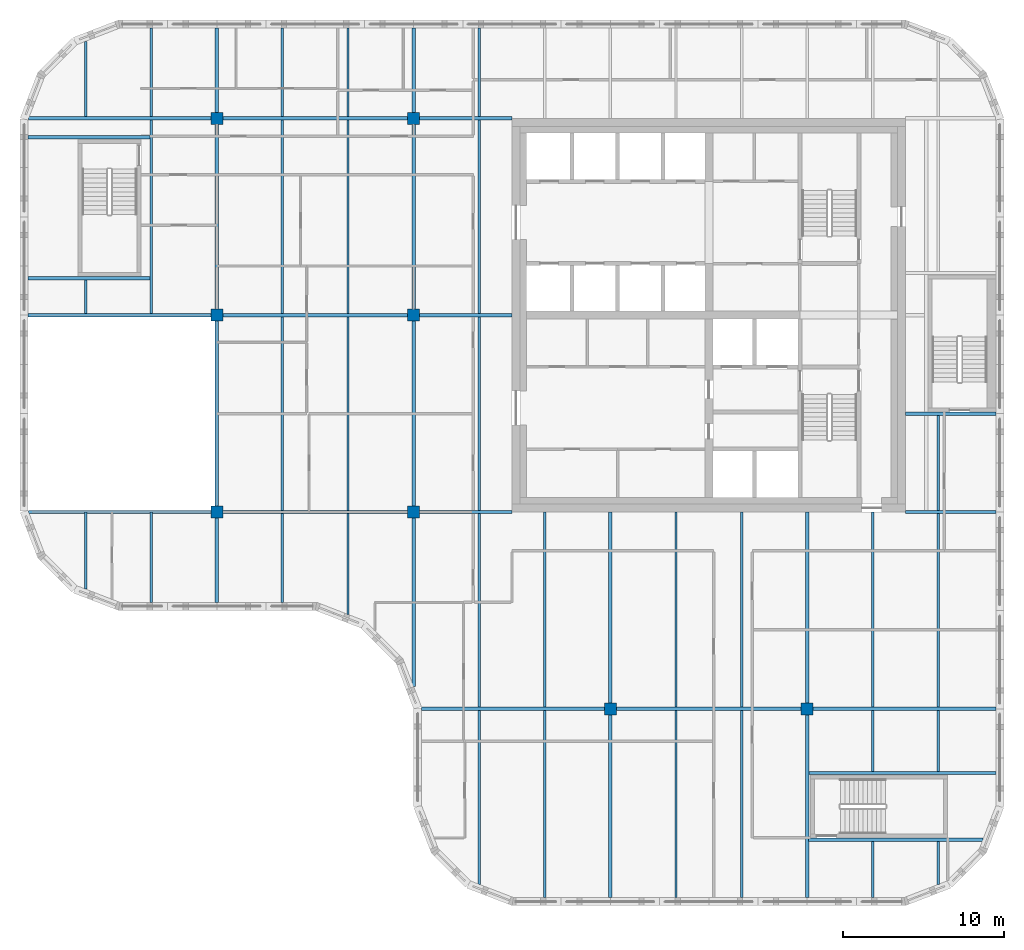
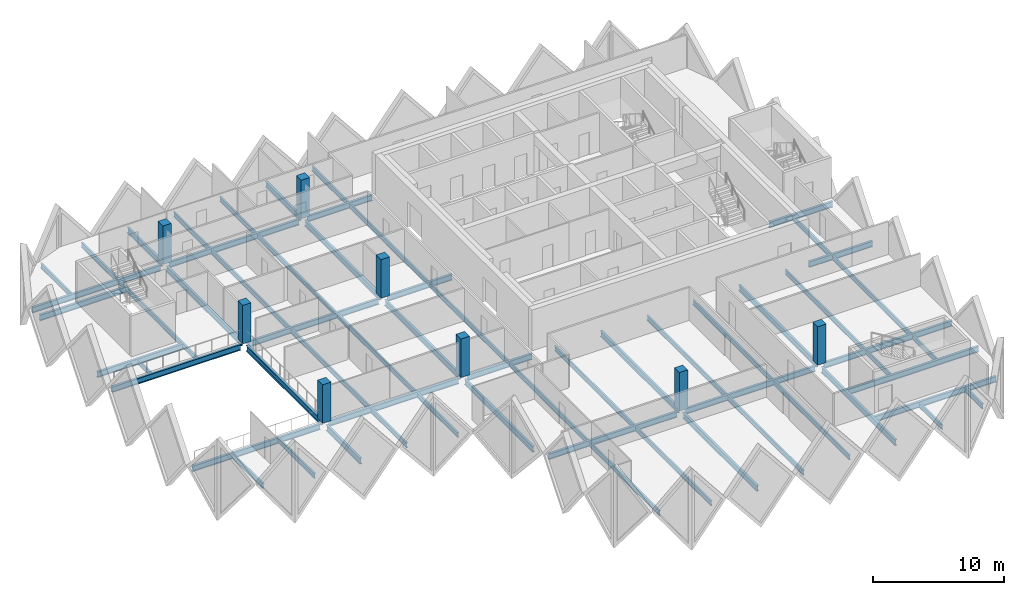
# One storey, part 1 of 12: 62 beams, 8 columns.
"""IFC4 building model written with IfcOpenShell, lengths in metres."""

from ifc_helpers import new_model, si_unit, direction, frame, origin, origin_2d, place, context, subcontext, project, spatial, rectangle, i_section, extrude, material, material_profile, profile_set, type_object, element, save


model = new_model("IFC4")

# Units and contexts
model_context = context("Model", 3, precision=1e-05, world=origin(), true_north=direction((0.0, 1.0)))
body_context = subcontext(model_context, "Body", "Model", "MODEL_VIEW")
ifc_project = project(units=[si_unit("LENGTHUNIT", "METRE"), si_unit("AREAUNIT", "SQUARE_METRE"), si_unit("VOLUMEUNIT", "CUBIC_METRE"), si_unit("PLANEANGLEUNIT", "RADIAN"), si_unit("MASSUNIT", "GRAM", prefix="KILO")], contexts=[model_context])

# Site, building, storey
site_placement = place(None, origin())
site = spatial("IfcSite", under=ifc_project, at=site_placement, CompositionType="ELEMENT")
building_placement = place(site_placement, origin())
building = spatial("IfcBuilding", under=site, at=building_placement, Name="Tessera Gate Towers", CompositionType="ELEMENT")
storey_placement = place(building_placement, frame((0.0, 0.0, 220.699951171875)))
storey = spatial("IfcBuildingStorey", under=building, at=storey_placement, Name="L55", CompositionType="ELEMENT", Elevation=220.699951171875)

# Columns
ifc_material_1 = material(Name="Concrete C70/85", Category="concrete")
ifc_material_profile_1 = material_profile(ifc_material_1, rectangle(XDim=0.75, YDim=0.75, at=origin_2d()), Name="RC 750x750")
ifc_profile_set_1 = profile_set([ifc_material_profile_1], Name="Concrete C70/85")
column_type = type_object("IfcColumnType", Name="COLUMN RC 750x750", PredefinedType="COLUMN", material=ifc_profile_set_1)
for number, where, z_axis, x_axis, name in (
    (1, (12.199951171875, 24.39990234375, 0.0), (0.0, 0.0, 1.0), (1.0, 0.0, 0.0), "T1-COL-2C-L55"),
    (2, (12.199951171875, 36.60009765625, 0.0), (0.0, 0.0, 1.0), (1.0, 0.0, 0.0), "T1-COL-2D-L55"),
    (3, (12.199951171875, 48.800048828125, 0.0), (0.0, 0.0, 1.0), (1.0, 0.0, 0.0), "T1-COL-2E-L55"),
    (4, (24.39990234375, 24.39990234375, 0.0), (0.0, 0.0, 1.0), (1.0, 0.0, 0.0), "T1-COL-3C-L55"),
    (5, (24.39990234375, 36.60009765625, 0.0), (0.0, 0.0, 1.0), (1.0, 0.0, 0.0), "T1-COL-3D-L55"),
    (6, (24.39990234375, 48.800048828125, 0.0), (0.0, 0.0, 1.0), (1.0, 0.0, 0.0), "T1-COL-3E-L55"),
    (7, (36.60009765625, 12.199951171875, 0.0), (0.0, 0.0, 1.0), (1.0, 0.0, 0.0), "T1-COL-4B-L55"),
    (8, (48.800048828125, 12.199951171875, 0.0), (0.0, 0.0, 1.0), (1.0, 0.0, 0.0), "T1-COL-5B-L55"),
):
    element("IfcColumn", number, at=place(storey_placement, frame(where, z_axis=z_axis, x_axis=x_axis)), inside=storey, type_object=column_type, Name=name, PredefinedType="COLUMN", context=body_context, shape_type="SweptSolid", body=[
        extrude(rectangle(XDim=0.75, YDim=0.75, at=origin_2d()), origin(), (0.0, 0.0, 1.0), 3.60009765625),
    ])

# Beams
ifc_material_2 = material(Name="Steel 350W", Category="steel")
ifc_material_profile_2 = material_profile(ifc_material_2, i_section(OverallWidth=0.208984375, OverallDepth=0.532958984375, WebThickness=0.01025390625, FlangeThickness=0.015625, at=origin_2d()), Name="W530x92")
ifc_profile_set_2 = profile_set([ifc_material_profile_2], Name="Steel 350W")
beam_type_1 = type_object("IfcBeamType", Name="FLOOR GIRDER W530x92", PredefinedType="BEAM", material=ifc_profile_set_2)
beam_1_placement = place(storey_placement, frame((24.89892578125, 12.199951171875, -0.466552734375), z_axis=(1.0, 0.0, 0.0), x_axis=(0.0, 1.0, 0.0)))
element("IfcBeam", 9, at=beam_1_placement, inside=storey, type_object=beam_type_1, Name="T1-GD-L55-5626", PredefinedType="BEAM", context=body_context, shape_type="SweptSolid", body=[
    extrude(i_section(OverallWidth=0.208984375, OverallDepth=0.532958984375, WebThickness=0.01025390625, FlangeThickness=0.015625, at=origin_2d()), origin(), (0.0, 0.0, 1.0), 11.326171875),
])
beam_2_placement = place(storey_placement, frame((36.97509765625, 12.199951171875, -0.466552734375), z_axis=(1.0, 0.0, 0.0), x_axis=(0.0, 1.0, 0.0)))
element("IfcBeam", 10, at=beam_2_placement, inside=storey, type_object=beam_type_1, Name="T1-GD-L55-5627", PredefinedType="BEAM", context=body_context, shape_type="SweptSolid", body=[
    extrude(i_section(OverallWidth=0.208984375, OverallDepth=0.532958984375, WebThickness=0.01025390625, FlangeThickness=0.015625, at=origin_2d()), origin(), (0.0, 0.0, 1.0), 11.449951171875),
])
beam_3_placement = place(storey_placement, frame((49.175048828125, 12.199951171875, -0.466552734375), z_axis=(1.0, 0.0, 0.0), x_axis=(0.0, 1.0, 0.0)))
element("IfcBeam", 11, at=beam_3_placement, inside=storey, type_object=beam_type_1, Name="T1-GD-L55-5628", PredefinedType="BEAM", context=body_context, shape_type="SweptSolid", body=[
    extrude(i_section(OverallWidth=0.208984375, OverallDepth=0.532958984375, WebThickness=0.01025390625, FlangeThickness=0.015625, at=origin_2d()), origin(), (0.0, 0.0, 1.0), 11.325927734375),
])
beam_4_placement = place(storey_placement, frame((0.534912109375, 24.39990234375, -0.466552734375), z_axis=(1.0, 0.0, 0.0), x_axis=(0.0, 1.0, 0.0)))
element("IfcBeam", 12, at=beam_4_placement, inside=storey, type_object=beam_type_1, Name="T1-GD-L55-5629", PredefinedType="BEAM", context=body_context, shape_type="SweptSolid", body=[
    extrude(i_section(OverallWidth=0.208984375, OverallDepth=0.532958984375, WebThickness=0.01025390625, FlangeThickness=0.015625, at=origin_2d()), origin(), (0.0, 0.0, 1.0), 11.2900390625),
])
beam_5_placement = place(storey_placement, frame((12.574951171875, 24.39990234375, -0.466552734375), z_axis=(1.0, 0.0, 0.0), x_axis=(0.0, 1.0, 0.0)))
element("IfcBeam", 13, at=beam_5_placement, inside=storey, type_object=beam_type_1, Name="T1-GD-L55-5630", PredefinedType="BEAM", context=body_context, shape_type="SweptSolid", body=[
    extrude(i_section(OverallWidth=0.208984375, OverallDepth=0.532958984375, WebThickness=0.01025390625, FlangeThickness=0.015625, at=origin_2d()), origin(), (0.0, 0.0, 1.0), 11.449951171875),
])
beam_6_placement = place(storey_placement, frame((24.77490234375, 24.39990234375, -0.466552734375), z_axis=(1.0, 0.0, 0.0), x_axis=(0.0, 1.0, 0.0)))
element("IfcBeam", 14, at=beam_6_placement, inside=storey, type_object=beam_type_1, Name="T1-GD-L55-5631", PredefinedType="BEAM", context=body_context, shape_type="SweptSolid", body=[
    extrude(i_section(OverallWidth=0.208984375, OverallDepth=0.532958984375, WebThickness=0.01025390625, FlangeThickness=0.015625, at=origin_2d()), origin(), (0.0, 0.0, 1.0), 5.72412109375),
])
beam_7_placement = place(storey_placement, frame((54.90087890625, 24.39990234375, -0.466552734375), z_axis=(1.0, 0.0, 0.0), x_axis=(0.0, 1.0, 0.0)))
element("IfcBeam", 15, at=beam_7_placement, inside=storey, type_object=beam_type_1, Name="T1-GD-L55-5632", PredefinedType="BEAM", context=body_context, shape_type="SweptSolid", body=[
    extrude(i_section(OverallWidth=0.208984375, OverallDepth=0.532958984375, WebThickness=0.01025390625, FlangeThickness=0.015625, at=origin_2d()), origin(), (0.0, 0.0, 1.0), 5.60009765625),
])
beam_8_placement = place(storey_placement, frame((0.4990234375, 36.60009765625, -0.466552734375), z_axis=(1.0, 0.0, 0.0), x_axis=(0.0, 1.0, 0.0)))
element("IfcBeam", 16, at=beam_8_placement, inside=storey, type_object=beam_type_1, Name="T1-GD-L55-5633", PredefinedType="BEAM", context=body_context, shape_type="SweptSolid", body=[
    extrude(i_section(OverallWidth=0.208984375, OverallDepth=0.532958984375, WebThickness=0.01025390625, FlangeThickness=0.015625, at=origin_2d()), origin(), (0.0, 0.0, 1.0), 11.325927734375),
])
beam_9_placement = place(storey_placement, frame((12.574951171875, 36.60009765625, -0.466552734375), z_axis=(1.0, 0.0, 0.0), x_axis=(0.0, 1.0, 0.0)))
element("IfcBeam", 17, at=beam_9_placement, inside=storey, type_object=beam_type_1, Name="T1-GD-L55-5634", PredefinedType="BEAM", context=body_context, shape_type="SweptSolid", body=[
    extrude(i_section(OverallWidth=0.208984375, OverallDepth=0.532958984375, WebThickness=0.01025390625, FlangeThickness=0.015625, at=origin_2d()), origin(), (0.0, 0.0, 1.0), 11.449951171875),
])
beam_10_placement = place(storey_placement, frame((24.77490234375, 36.60009765625, -0.466552734375), z_axis=(1.0, 0.0, 0.0), x_axis=(0.0, 1.0, 0.0)))
element("IfcBeam", 18, at=beam_10_placement, inside=storey, type_object=beam_type_1, Name="T1-GD-L55-5635", PredefinedType="BEAM", context=body_context, shape_type="SweptSolid", body=[
    extrude(i_section(OverallWidth=0.208984375, OverallDepth=0.532958984375, WebThickness=0.01025390625, FlangeThickness=0.015625, at=origin_2d()), origin(), (0.0, 0.0, 1.0), 5.72607421875),
])
beam_11_placement = place(storey_placement, frame((0.534912109375, 48.800048828125, -0.466552734375), z_axis=(1.0, 0.0, 0.0), x_axis=(0.0, 1.0, 0.0)))
element("IfcBeam", 19, at=beam_11_placement, inside=storey, type_object=beam_type_1, Name="T1-GD-L55-5637", PredefinedType="BEAM", context=body_context, shape_type="SweptSolid", body=[
    extrude(i_section(OverallWidth=0.208984375, OverallDepth=0.532958984375, WebThickness=0.01025390625, FlangeThickness=0.015625, at=origin_2d()), origin(), (0.0, 0.0, 1.0), 11.2900390625),
])
beam_12_placement = place(storey_placement, frame((12.574951171875, 48.800048828125, -0.466552734375), z_axis=(1.0, 0.0, 0.0), x_axis=(0.0, 1.0, 0.0)))
element("IfcBeam", 20, at=beam_12_placement, inside=storey, type_object=beam_type_1, Name="T1-GD-L55-5638", PredefinedType="BEAM", context=body_context, shape_type="SweptSolid", body=[
    extrude(i_section(OverallWidth=0.208984375, OverallDepth=0.532958984375, WebThickness=0.01025390625, FlangeThickness=0.015625, at=origin_2d()), origin(), (0.0, 0.0, 1.0), 11.449951171875),
])
beam_13_placement = place(storey_placement, frame((24.77490234375, 48.800048828125, -0.466552734375), z_axis=(1.0, 0.0, 0.0), x_axis=(0.0, 1.0, 0.0)))
element("IfcBeam", 21, at=beam_13_placement, inside=storey, type_object=beam_type_1, Name="T1-GD-L55-5639", PredefinedType="BEAM", context=body_context, shape_type="SweptSolid", body=[
    extrude(i_section(OverallWidth=0.208984375, OverallDepth=0.532958984375, WebThickness=0.01025390625, FlangeThickness=0.015625, at=origin_2d()), origin(), (0.0, 0.0, 1.0), 5.72412109375),
])
beam_14_placement = place(storey_placement, frame((12.199951171875, 18.799072265625, -0.466552734375), z_axis=(0.0, 1.0, 0.0), x_axis=(-1.0, 0.0, 0.0)))
element("IfcBeam", 22, at=beam_14_placement, inside=storey, type_object=beam_type_1, Name="T1-GD-L55-5641", PredefinedType="BEAM", context=body_context, shape_type="SweptSolid", body=[
    extrude(i_section(OverallWidth=0.208984375, OverallDepth=0.532958984375, WebThickness=0.01025390625, FlangeThickness=0.015625, at=origin_2d()), origin(), (0.0, 0.0, 1.0), 5.225830078125),
])
beam_15_placement = place(storey_placement, frame((12.199951171875, 24.77490234375, -0.466552734375), z_axis=(0.0, 1.0, 0.0), x_axis=(-1.0, 0.0, 0.0)))
element("IfcBeam", 23, at=beam_15_placement, inside=storey, type_object=beam_type_1, Name="T1-GD-L55-5642", PredefinedType="BEAM", context=body_context, shape_type="SweptSolid", body=[
    extrude(i_section(OverallWidth=0.208984375, OverallDepth=0.532958984375, WebThickness=0.01025390625, FlangeThickness=0.015625, at=origin_2d()), origin(), (0.0, 0.0, 1.0), 11.4501953125),
])
beam_16_placement = place(storey_placement, frame((12.199951171875, 36.97509765625, -0.466552734375), z_axis=(0.0, 1.0, 0.0), x_axis=(-1.0, 0.0, 0.0)))
element("IfcBeam", 24, at=beam_16_placement, inside=storey, type_object=beam_type_1, Name="T1-GD-L55-5643", PredefinedType="BEAM", context=body_context, shape_type="SweptSolid", body=[
    extrude(i_section(OverallWidth=0.208984375, OverallDepth=0.532958984375, WebThickness=0.01025390625, FlangeThickness=0.015625, at=origin_2d()), origin(), (0.0, 0.0, 1.0), 11.449951171875),
])
beam_17_placement = place(storey_placement, frame((12.199951171875, 49.175048828125, -0.466552734375), z_axis=(0.0, 1.0, 0.0), x_axis=(-1.0, 0.0, 0.0)))
element("IfcBeam", 25, at=beam_17_placement, inside=storey, type_object=beam_type_1, Name="T1-GD-L55-5644", PredefinedType="BEAM", context=body_context, shape_type="SweptSolid", body=[
    extrude(i_section(OverallWidth=0.208984375, OverallDepth=0.532958984375, WebThickness=0.01025390625, FlangeThickness=0.015625, at=origin_2d()), origin(), (0.0, 0.0, 1.0), 5.225830078125),
])
beam_18_placement = place(storey_placement, frame((24.39990234375, 13.58642578125, -0.466552734375), z_axis=(0.0, 1.0, 0.0), x_axis=(-1.0, 0.0, 0.0)))
element("IfcBeam", 26, at=beam_18_placement, inside=storey, type_object=beam_type_1, Name="T1-GD-L55-5645", PredefinedType="BEAM", context=body_context, shape_type="SweptSolid", body=[
    extrude(i_section(OverallWidth=0.208984375, OverallDepth=0.532958984375, WebThickness=0.01025390625, FlangeThickness=0.015625, at=origin_2d()), origin(), (0.0, 0.0, 1.0), 10.4384765625),
])
beam_19_placement = place(storey_placement, frame((24.39990234375, 24.77490234375, -0.466552734375), z_axis=(0.0, 1.0, 0.0), x_axis=(-1.0, 0.0, 0.0)))
element("IfcBeam", 27, at=beam_19_placement, inside=storey, type_object=beam_type_1, Name="T1-GD-L55-5646", PredefinedType="BEAM", context=body_context, shape_type="SweptSolid", body=[
    extrude(i_section(OverallWidth=0.208984375, OverallDepth=0.532958984375, WebThickness=0.01025390625, FlangeThickness=0.015625, at=origin_2d()), origin(), (0.0, 0.0, 1.0), 11.4501953125),
])
beam_20_placement = place(storey_placement, frame((24.39990234375, 36.97509765625, -0.466552734375), z_axis=(0.0, 1.0, 0.0), x_axis=(-1.0, 0.0, 0.0)))
element("IfcBeam", 28, at=beam_20_placement, inside=storey, type_object=beam_type_1, Name="T1-GD-L55-5647", PredefinedType="BEAM", context=body_context, shape_type="SweptSolid", body=[
    extrude(i_section(OverallWidth=0.208984375, OverallDepth=0.532958984375, WebThickness=0.01025390625, FlangeThickness=0.015625, at=origin_2d()), origin(), (0.0, 0.0, 1.0), 11.449951171875),
])
beam_21_placement = place(storey_placement, frame((24.39990234375, 49.175048828125, -0.466552734375), z_axis=(0.0, 1.0, 0.0), x_axis=(-1.0, 0.0, 0.0)))
element("IfcBeam", 29, at=beam_21_placement, inside=storey, type_object=beam_type_1, Name="T1-GD-L55-5648", PredefinedType="BEAM", context=body_context, shape_type="SweptSolid", body=[
    extrude(i_section(OverallWidth=0.208984375, OverallDepth=0.532958984375, WebThickness=0.01025390625, FlangeThickness=0.015625, at=origin_2d()), origin(), (0.0, 0.0, 1.0), 5.225830078125),
])
beam_22_placement = place(storey_placement, frame((36.60009765625, 0.4990234375, -0.466552734375), z_axis=(0.0, 1.0, 0.0), x_axis=(-1.0, 0.0, 0.0)))
element("IfcBeam", 30, at=beam_22_placement, inside=storey, type_object=beam_type_1, Name="T1-GD-L55-5649", PredefinedType="BEAM", context=body_context, shape_type="SweptSolid", body=[
    extrude(i_section(OverallWidth=0.208984375, OverallDepth=0.532958984375, WebThickness=0.01025390625, FlangeThickness=0.015625, at=origin_2d()), origin(), (0.0, 0.0, 1.0), 11.325927734375),
])
beam_23_placement = place(storey_placement, frame((36.60009765625, 12.574951171875, -0.466552734375), z_axis=(0.0, 1.0, 0.0), x_axis=(-1.0, 0.0, 0.0)))
element("IfcBeam", 31, at=beam_23_placement, inside=storey, type_object=beam_type_1, Name="T1-GD-L55-5650", PredefinedType="BEAM", context=body_context, shape_type="SweptSolid", body=[
    extrude(i_section(OverallWidth=0.208984375, OverallDepth=0.532958984375, WebThickness=0.01025390625, FlangeThickness=0.015625, at=origin_2d()), origin(), (0.0, 0.0, 1.0), 11.824951171875),
])
beam_24_placement = place(storey_placement, frame((48.800048828125, 0.4990234375, -0.466552734375), z_axis=(0.0, 1.0, 0.0), x_axis=(-1.0, 0.0, 0.0)))
element("IfcBeam", 32, at=beam_24_placement, inside=storey, type_object=beam_type_1, Name="T1-GD-L55-5651", PredefinedType="BEAM", context=body_context, shape_type="SweptSolid", body=[
    extrude(i_section(OverallWidth=0.208984375, OverallDepth=0.532958984375, WebThickness=0.01025390625, FlangeThickness=0.015625, at=origin_2d()), origin(), (0.0, 0.0, 1.0), 11.325927734375),
])
beam_25_placement = place(storey_placement, frame((48.800048828125, 12.574951171875, -0.466552734375), z_axis=(0.0, 1.0, 0.0), x_axis=(-1.0, 0.0, 0.0)))
element("IfcBeam", 33, at=beam_25_placement, inside=storey, type_object=beam_type_1, Name="T1-GD-L55-5652", PredefinedType="BEAM", context=body_context, shape_type="SweptSolid", body=[
    extrude(i_section(OverallWidth=0.208984375, OverallDepth=0.532958984375, WebThickness=0.01025390625, FlangeThickness=0.015625, at=origin_2d()), origin(), (0.0, 0.0, 1.0), 11.824951171875),
])
for number, where, z_axis, x_axis, name in (
    (34, (0.4990234375, 38.8798828125, -0.466552734375), (1.0, 0.0, 0.0), (0.0, 1.0, 0.0), "T1-GD-L55-5653"),
    (35, (0.4990234375, 47.6201171875, -0.466552734375), (1.0, 0.0, 0.0), (0.0, 1.0, 0.0), "T1-GD-L55-5654"),
):
    element("IfcBeam", number, at=place(storey_placement, frame(where, z_axis=z_axis, x_axis=x_axis)), inside=storey, type_object=beam_type_1, Name=name, PredefinedType="BEAM", context=body_context, shape_type="SweptSolid", body=[
        extrude(i_section(OverallWidth=0.208984375, OverallDepth=0.532958984375, WebThickness=0.01025390625, FlangeThickness=0.015625, at=origin_2d()), origin(), (0.0, 0.0, 1.0), 7.557861328125),
    ])
beam_26_placement = place(storey_placement, frame((48.87646484375, 4.080078125, -0.466552734375), z_axis=(1.0, 0.0, 0.0), x_axis=(0.0, 1.0, 0.0)))
element("IfcBeam", 36, at=beam_26_placement, inside=storey, type_object=beam_type_1, Name="T1-GD-L55-5655", PredefinedType="BEAM", context=body_context, shape_type="SweptSolid", body=[
    extrude(i_section(OverallWidth=0.208984375, OverallDepth=0.532958984375, WebThickness=0.01025390625, FlangeThickness=0.015625, at=origin_2d()), origin(), (0.0, 0.0, 1.0), 10.809326171875),
])
beam_27_placement = place(storey_placement, frame((48.87646484375, 8.219970703125, -0.466552734375), z_axis=(1.0, 0.0, 0.0), x_axis=(0.0, 1.0, 0.0)))
element("IfcBeam", 37, at=beam_27_placement, inside=storey, type_object=beam_type_1, Name="T1-GD-L55-5656", PredefinedType="BEAM", context=body_context, shape_type="SweptSolid", body=[
    extrude(i_section(OverallWidth=0.208984375, OverallDepth=0.532958984375, WebThickness=0.01025390625, FlangeThickness=0.015625, at=origin_2d()), origin(), (0.0, 0.0, 1.0), 11.62451171875),
])
beam_28_placement = place(storey_placement, frame((54.89892578125, 30.47998046875, -0.466552734375), z_axis=(1.0, 0.0, 0.0), x_axis=(0.0, 1.0, 0.0)))
element("IfcBeam", 38, at=beam_28_placement, inside=storey, type_object=beam_type_1, Name="T1-GD-L55-5657", PredefinedType="BEAM", context=body_context, shape_type="SweptSolid", body=[
    extrude(i_section(OverallWidth=0.208984375, OverallDepth=0.532958984375, WebThickness=0.01025390625, FlangeThickness=0.015625, at=origin_2d()), origin(), (0.0, 0.0, 1.0), 5.60205078125),
])
ifc_material_3 = material(Name="Steel 350W", Category="steel")
ifc_material_profile_3 = material_profile(ifc_material_3, i_section(OverallWidth=0.153076171875, OverallDepth=0.455078125, WebThickness=0.008056640625, FlangeThickness=0.01318359375, at=origin_2d()), Name="W460x60")
ifc_profile_set_3 = profile_set([ifc_material_profile_3], Name="Steel 350W")
beam_type_2 = type_object("IfcBeamType", Name="FLOOR SECONDARY W460x60", PredefinedType="BEAM", material=ifc_profile_set_3)
beam_29_placement = place(storey_placement, frame((4.066650390625, 19.620361328125, -0.427490234375), z_axis=(0.0, 1.0, 0.0), x_axis=(-1.0, 0.0, 0.0)))
element("IfcBeam", 39, at=beam_29_placement, inside=storey, type_object=beam_type_2, Name="T1-BM-L55-5660", PredefinedType="BEAM", context=body_context, shape_type="SweptSolid", body=[
    extrude(i_section(OverallWidth=0.153076171875, OverallDepth=0.455078125, WebThickness=0.008056640625, FlangeThickness=0.01318359375, at=origin_2d()), origin(), (0.0, 0.0, 1.0), 4.779541015625),
])
beam_30_placement = place(storey_placement, frame((4.066650390625, 36.70458984375, -0.427490234375), z_axis=(0.0, 1.0, 0.0), x_axis=(-1.0, 0.0, 0.0)))
element("IfcBeam", 40, at=beam_30_placement, inside=storey, type_object=beam_type_2, Name="T1-BM-L55-5661", PredefinedType="BEAM", context=body_context, shape_type="SweptSolid", body=[
    extrude(i_section(OverallWidth=0.153076171875, OverallDepth=0.455078125, WebThickness=0.008056640625, FlangeThickness=0.01318359375, at=origin_2d()), origin(), (0.0, 0.0, 1.0), 2.07080078125),
])
beam_31_placement = place(storey_placement, frame((4.066650390625, 48.904541015625, -0.427490234375), z_axis=(0.0, 1.0, 0.0), x_axis=(-1.0, 0.0, 0.0)))
element("IfcBeam", 41, at=beam_31_placement, inside=storey, type_object=beam_type_2, Name="T1-BM-L55-5662", PredefinedType="BEAM", context=body_context, shape_type="SweptSolid", body=[
    extrude(i_section(OverallWidth=0.153076171875, OverallDepth=0.455078125, WebThickness=0.008056640625, FlangeThickness=0.01318359375, at=origin_2d()), origin(), (0.0, 0.0, 1.0), 4.675048828125),
])
beam_32_placement = place(storey_placement, frame((8.13330078125, 18.800048828125, -0.427490234375), z_axis=(0.0, 1.0, 0.0), x_axis=(-1.0, 0.0, 0.0)))
element("IfcBeam", 42, at=beam_32_placement, inside=storey, type_object=beam_type_2, Name="T1-BM-L55-5663", PredefinedType="BEAM", context=body_context, shape_type="SweptSolid", body=[
    extrude(i_section(OverallWidth=0.153076171875, OverallDepth=0.455078125, WebThickness=0.008056640625, FlangeThickness=0.01318359375, at=origin_2d()), origin(), (0.0, 0.0, 1.0), 5.599853515625),
])
beam_33_placement = place(storey_placement, frame((8.13330078125, 36.70458984375, -0.427490234375), z_axis=(0.0, 1.0, 0.0), x_axis=(-1.0, 0.0, 0.0)))
element("IfcBeam", 43, at=beam_33_placement, inside=storey, type_object=beam_type_2, Name="T1-BM-L55-5664", PredefinedType="BEAM", context=body_context, shape_type="SweptSolid", body=[
    extrude(i_section(OverallWidth=0.153076171875, OverallDepth=0.455078125, WebThickness=0.008056640625, FlangeThickness=0.01318359375, at=origin_2d()), origin(), (0.0, 0.0, 1.0), 11.990966796875),
])
for number, where, z_axis, x_axis, name in (
    (44, (8.13330078125, 48.904541015625, -0.427490234375), (0.0, 1.0, 0.0), (-1.0, 0.0, 0.0), "T1-BM-L55-5665"),
    (45, (16.2666015625, 18.800048828125, -0.427490234375), (0.0, 1.0, 0.0), (-1.0, 0.0, 0.0), "T1-BM-L55-5666"),
):
    element("IfcBeam", number, at=place(storey_placement, frame(where, z_axis=z_axis, x_axis=x_axis)), inside=storey, type_object=beam_type_2, Name=name, PredefinedType="BEAM", context=body_context, shape_type="SweptSolid", body=[
        extrude(i_section(OverallWidth=0.153076171875, OverallDepth=0.455078125, WebThickness=0.008056640625, FlangeThickness=0.01318359375, at=origin_2d()), origin(), (0.0, 0.0, 1.0), 5.495361328125),
    ])
beam_34_placement = place(storey_placement, frame((16.2666015625, 24.50439453125, -0.427490234375), z_axis=(0.0, 1.0, 0.0), x_axis=(-1.0, 0.0, 0.0)))
element("IfcBeam", 46, at=beam_34_placement, inside=storey, type_object=beam_type_2, Name="T1-BM-L55-5667", PredefinedType="BEAM", context=body_context, shape_type="SweptSolid", body=[
    extrude(i_section(OverallWidth=0.153076171875, OverallDepth=0.455078125, WebThickness=0.008056640625, FlangeThickness=0.01318359375, at=origin_2d()), origin(), (0.0, 0.0, 1.0), 11.9912109375),
])
beam_35_placement = place(storey_placement, frame((16.2666015625, 36.70458984375, -0.427490234375), z_axis=(0.0, 1.0, 0.0), x_axis=(-1.0, 0.0, 0.0)))
element("IfcBeam", 47, at=beam_35_placement, inside=storey, type_object=beam_type_2, Name="T1-BM-L55-5668", PredefinedType="BEAM", context=body_context, shape_type="SweptSolid", body=[
    extrude(i_section(OverallWidth=0.153076171875, OverallDepth=0.455078125, WebThickness=0.008056640625, FlangeThickness=0.01318359375, at=origin_2d()), origin(), (0.0, 0.0, 1.0), 11.990966796875),
])
beam_36_placement = place(storey_placement, frame((16.2666015625, 48.904541015625, -0.427490234375), z_axis=(0.0, 1.0, 0.0), x_axis=(-1.0, 0.0, 0.0)))
element("IfcBeam", 48, at=beam_36_placement, inside=storey, type_object=beam_type_2, Name="T1-BM-L55-5669", PredefinedType="BEAM", context=body_context, shape_type="SweptSolid", body=[
    extrude(i_section(OverallWidth=0.153076171875, OverallDepth=0.455078125, WebThickness=0.008056640625, FlangeThickness=0.01318359375, at=origin_2d()), origin(), (0.0, 0.0, 1.0), 5.495361328125),
])
beam_37_placement = place(storey_placement, frame((20.333251953125, 18.051513671875, -0.427490234375), z_axis=(0.0, 1.0, 0.0), x_axis=(-1.0, 0.0, 0.0)))
element("IfcBeam", 49, at=beam_37_placement, inside=storey, type_object=beam_type_2, Name="T1-BM-L55-5670", PredefinedType="BEAM", context=body_context, shape_type="SweptSolid", body=[
    extrude(i_section(OverallWidth=0.153076171875, OverallDepth=0.455078125, WebThickness=0.008056640625, FlangeThickness=0.01318359375, at=origin_2d()), origin(), (0.0, 0.0, 1.0), 6.243896484375),
])
beam_38_placement = place(storey_placement, frame((20.333251953125, 24.50439453125, -0.427490234375), z_axis=(0.0, 1.0, 0.0), x_axis=(-1.0, 0.0, 0.0)))
element("IfcBeam", 50, at=beam_38_placement, inside=storey, type_object=beam_type_2, Name="T1-BM-L55-5671", PredefinedType="BEAM", context=body_context, shape_type="SweptSolid", body=[
    extrude(i_section(OverallWidth=0.153076171875, OverallDepth=0.455078125, WebThickness=0.008056640625, FlangeThickness=0.01318359375, at=origin_2d()), origin(), (0.0, 0.0, 1.0), 11.9912109375),
])
beam_39_placement = place(storey_placement, frame((20.333251953125, 36.70458984375, -0.427490234375), z_axis=(0.0, 1.0, 0.0), x_axis=(-1.0, 0.0, 0.0)))
element("IfcBeam", 51, at=beam_39_placement, inside=storey, type_object=beam_type_2, Name="T1-BM-L55-5672", PredefinedType="BEAM", context=body_context, shape_type="SweptSolid", body=[
    extrude(i_section(OverallWidth=0.153076171875, OverallDepth=0.455078125, WebThickness=0.008056640625, FlangeThickness=0.01318359375, at=origin_2d()), origin(), (0.0, 0.0, 1.0), 11.990966796875),
])
beam_40_placement = place(storey_placement, frame((20.333251953125, 48.904541015625, -0.427490234375), z_axis=(0.0, 1.0, 0.0), x_axis=(-1.0, 0.0, 0.0)))
element("IfcBeam", 52, at=beam_40_placement, inside=storey, type_object=beam_type_2, Name="T1-BM-L55-5673", PredefinedType="BEAM", context=body_context, shape_type="SweptSolid", body=[
    extrude(i_section(OverallWidth=0.153076171875, OverallDepth=0.455078125, WebThickness=0.008056640625, FlangeThickness=0.01318359375, at=origin_2d()), origin(), (0.0, 0.0, 1.0), 5.495361328125),
])
beam_41_placement = place(storey_placement, frame((28.466796875, 1.3203125, -0.427490234375), z_axis=(0.0, 1.0, 0.0), x_axis=(-1.0, 0.0, 0.0)))
element("IfcBeam", 53, at=beam_41_placement, inside=storey, type_object=beam_type_2, Name="T1-BM-L55-5674", PredefinedType="BEAM", context=body_context, shape_type="SweptSolid", body=[
    extrude(i_section(OverallWidth=0.153076171875, OverallDepth=0.455078125, WebThickness=0.008056640625, FlangeThickness=0.01318359375, at=origin_2d()), origin(), (0.0, 0.0, 1.0), 10.775146484375),
])
beam_42_placement = place(storey_placement, frame((28.466796875, 12.304443359375, -0.427490234375), z_axis=(0.0, 1.0, 0.0), x_axis=(-1.0, 0.0, 0.0)))
element("IfcBeam", 54, at=beam_42_placement, inside=storey, type_object=beam_type_2, Name="T1-BM-L55-5675", PredefinedType="BEAM", context=body_context, shape_type="SweptSolid", body=[
    extrude(i_section(OverallWidth=0.153076171875, OverallDepth=0.455078125, WebThickness=0.008056640625, FlangeThickness=0.01318359375, at=origin_2d()), origin(), (0.0, 0.0, 1.0), 11.990966796875),
])
beam_43_placement = place(storey_placement, frame((28.466796875, 24.50439453125, -0.427490234375), z_axis=(0.0, 1.0, 0.0), x_axis=(-1.0, 0.0, 0.0)))
element("IfcBeam", 55, at=beam_43_placement, inside=storey, type_object=beam_type_2, Name="T1-BM-L55-5676", PredefinedType="BEAM", context=body_context, shape_type="SweptSolid", body=[
    extrude(i_section(OverallWidth=0.153076171875, OverallDepth=0.455078125, WebThickness=0.008056640625, FlangeThickness=0.01318359375, at=origin_2d()), origin(), (0.0, 0.0, 1.0), 11.9912109375),
])
beam_44_placement = place(storey_placement, frame((28.466796875, 36.70458984375, -0.427490234375), z_axis=(0.0, 1.0, 0.0), x_axis=(-1.0, 0.0, 0.0)))
element("IfcBeam", 56, at=beam_44_placement, inside=storey, type_object=beam_type_2, Name="T1-BM-L55-5677", PredefinedType="BEAM", context=body_context, shape_type="SweptSolid", body=[
    extrude(i_section(OverallWidth=0.153076171875, OverallDepth=0.455078125, WebThickness=0.008056640625, FlangeThickness=0.01318359375, at=origin_2d()), origin(), (0.0, 0.0, 1.0), 11.990966796875),
])
beam_45_placement = place(storey_placement, frame((28.466796875, 48.904541015625, -0.427490234375), z_axis=(0.0, 1.0, 0.0), x_axis=(-1.0, 0.0, 0.0)))
element("IfcBeam", 57, at=beam_45_placement, inside=storey, type_object=beam_type_2, Name="T1-BM-L55-5678", PredefinedType="BEAM", context=body_context, shape_type="SweptSolid", body=[
    extrude(i_section(OverallWidth=0.153076171875, OverallDepth=0.455078125, WebThickness=0.008056640625, FlangeThickness=0.01318359375, at=origin_2d()), origin(), (0.0, 0.0, 1.0), 5.495361328125),
])
beam_46_placement = place(storey_placement, frame((32.533203125, 0.5, -0.427490234375), z_axis=(0.0, 1.0, 0.0), x_axis=(-1.0, 0.0, 0.0)))
element("IfcBeam", 58, at=beam_46_placement, inside=storey, type_object=beam_type_2, Name="T1-BM-L55-5679", PredefinedType="BEAM", context=body_context, shape_type="SweptSolid", body=[
    extrude(i_section(OverallWidth=0.153076171875, OverallDepth=0.455078125, WebThickness=0.008056640625, FlangeThickness=0.01318359375, at=origin_2d()), origin(), (0.0, 0.0, 1.0), 11.595458984375),
])
beam_47_placement = place(storey_placement, frame((32.533203125, 12.304443359375, -0.427490234375), z_axis=(0.0, 1.0, 0.0), x_axis=(-1.0, 0.0, 0.0)))
element("IfcBeam", 59, at=beam_47_placement, inside=storey, type_object=beam_type_2, Name="T1-BM-L55-5680", PredefinedType="BEAM", context=body_context, shape_type="SweptSolid", body=[
    extrude(i_section(OverallWidth=0.153076171875, OverallDepth=0.455078125, WebThickness=0.008056640625, FlangeThickness=0.01318359375, at=origin_2d()), origin(), (0.0, 0.0, 1.0), 12.095458984375),
])
beam_48_placement = place(storey_placement, frame((40.666748046875, 0.5, -0.427490234375), z_axis=(0.0, 1.0, 0.0), x_axis=(-1.0, 0.0, 0.0)))
element("IfcBeam", 60, at=beam_48_placement, inside=storey, type_object=beam_type_2, Name="T1-BM-L55-5683", PredefinedType="BEAM", context=body_context, shape_type="SweptSolid", body=[
    extrude(i_section(OverallWidth=0.153076171875, OverallDepth=0.455078125, WebThickness=0.008056640625, FlangeThickness=0.01318359375, at=origin_2d()), origin(), (0.0, 0.0, 1.0), 11.595458984375),
])
beam_49_placement = place(storey_placement, frame((40.666748046875, 12.304443359375, -0.427490234375), z_axis=(0.0, 1.0, 0.0), x_axis=(-1.0, 0.0, 0.0)))
element("IfcBeam", 61, at=beam_49_placement, inside=storey, type_object=beam_type_2, Name="T1-BM-L55-5684", PredefinedType="BEAM", context=body_context, shape_type="SweptSolid", body=[
    extrude(i_section(OverallWidth=0.153076171875, OverallDepth=0.455078125, WebThickness=0.008056640625, FlangeThickness=0.01318359375, at=origin_2d()), origin(), (0.0, 0.0, 1.0), 12.095458984375),
])
beam_50_placement = place(storey_placement, frame((44.7333984375, 0.5, -0.427490234375), z_axis=(0.0, 1.0, 0.0), x_axis=(-1.0, 0.0, 0.0)))
element("IfcBeam", 62, at=beam_50_placement, inside=storey, type_object=beam_type_2, Name="T1-BM-L55-5686", PredefinedType="BEAM", context=body_context, shape_type="SweptSolid", body=[
    extrude(i_section(OverallWidth=0.153076171875, OverallDepth=0.455078125, WebThickness=0.008056640625, FlangeThickness=0.01318359375, at=origin_2d()), origin(), (0.0, 0.0, 1.0), 11.595458984375),
])
beam_51_placement = place(storey_placement, frame((44.7333984375, 12.304443359375, -0.427490234375), z_axis=(0.0, 1.0, 0.0), x_axis=(-1.0, 0.0, 0.0)))
element("IfcBeam", 63, at=beam_51_placement, inside=storey, type_object=beam_type_2, Name="T1-BM-L55-5687", PredefinedType="BEAM", context=body_context, shape_type="SweptSolid", body=[
    extrude(i_section(OverallWidth=0.153076171875, OverallDepth=0.455078125, WebThickness=0.008056640625, FlangeThickness=0.01318359375, at=origin_2d()), origin(), (0.0, 0.0, 1.0), 12.095458984375),
])
beam_52_placement = place(storey_placement, frame((52.86669921875, 0.5, -0.427490234375), z_axis=(0.0, 1.0, 0.0), x_axis=(-1.0, 0.0, 0.0)))
element("IfcBeam", 64, at=beam_52_placement, inside=storey, type_object=beam_type_2, Name="T1-BM-L55-5690", PredefinedType="BEAM", context=body_context, shape_type="SweptSolid", body=[
    extrude(i_section(OverallWidth=0.153076171875, OverallDepth=0.455078125, WebThickness=0.008056640625, FlangeThickness=0.01318359375, at=origin_2d()), origin(), (0.0, 0.0, 1.0), 3.4755859375),
])
beam_53_placement = place(storey_placement, frame((52.86669921875, 8.324462890625, -0.427490234375), z_axis=(0.0, 1.0, 0.0), x_axis=(-1.0, 0.0, 0.0)))
element("IfcBeam", 65, at=beam_53_placement, inside=storey, type_object=beam_type_2, Name="T1-BM-L55-5691", PredefinedType="BEAM", context=body_context, shape_type="SweptSolid", body=[
    extrude(i_section(OverallWidth=0.153076171875, OverallDepth=0.455078125, WebThickness=0.008056640625, FlangeThickness=0.01318359375, at=origin_2d()), origin(), (0.0, 0.0, 1.0), 3.77099609375),
])
beam_54_placement = place(storey_placement, frame((52.86669921875, 12.304443359375, -0.427490234375), z_axis=(0.0, 1.0, 0.0), x_axis=(-1.0, 0.0, 0.0)))
element("IfcBeam", 66, at=beam_54_placement, inside=storey, type_object=beam_type_2, Name="T1-BM-L55-5692", PredefinedType="BEAM", context=body_context, shape_type="SweptSolid", body=[
    extrude(i_section(OverallWidth=0.153076171875, OverallDepth=0.455078125, WebThickness=0.008056640625, FlangeThickness=0.01318359375, at=origin_2d()), origin(), (0.0, 0.0, 1.0), 12.095458984375),
])
beam_55_placement = place(storey_placement, frame((56.933349609375, 1.3203125, -0.427490234375), z_axis=(0.0, 1.0, 0.0), x_axis=(-1.0, 0.0, 0.0)))
element("IfcBeam", 67, at=beam_55_placement, inside=storey, type_object=beam_type_2, Name="T1-BM-L55-5694", PredefinedType="BEAM", context=body_context, shape_type="SweptSolid", body=[
    extrude(i_section(OverallWidth=0.153076171875, OverallDepth=0.455078125, WebThickness=0.008056640625, FlangeThickness=0.01318359375, at=origin_2d()), origin(), (0.0, 0.0, 1.0), 2.6552734375),
])
beam_56_placement = place(storey_placement, frame((56.933349609375, 8.324462890625, -0.427490234375), z_axis=(0.0, 1.0, 0.0), x_axis=(-1.0, 0.0, 0.0)))
element("IfcBeam", 68, at=beam_56_placement, inside=storey, type_object=beam_type_2, Name="T1-BM-L55-5695", PredefinedType="BEAM", context=body_context, shape_type="SweptSolid", body=[
    extrude(i_section(OverallWidth=0.153076171875, OverallDepth=0.455078125, WebThickness=0.008056640625, FlangeThickness=0.01318359375, at=origin_2d()), origin(), (0.0, 0.0, 1.0), 3.77099609375),
])
beam_57_placement = place(storey_placement, frame((56.933349609375, 12.304443359375, -0.427490234375), z_axis=(0.0, 1.0, 0.0), x_axis=(-1.0, 0.0, 0.0)))
element("IfcBeam", 69, at=beam_57_placement, inside=storey, type_object=beam_type_2, Name="T1-BM-L55-5696", PredefinedType="BEAM", context=body_context, shape_type="SweptSolid", body=[
    extrude(i_section(OverallWidth=0.153076171875, OverallDepth=0.455078125, WebThickness=0.008056640625, FlangeThickness=0.01318359375, at=origin_2d()), origin(), (0.0, 0.0, 1.0), 11.990966796875),
])
beam_58_placement = place(storey_placement, frame((56.933349609375, 24.50439453125, -0.427490234375), z_axis=(0.0, 1.0, 0.0), x_axis=(-1.0, 0.0, 0.0)))
element("IfcBeam", 70, at=beam_58_placement, inside=storey, type_object=beam_type_2, Name="T1-BM-L55-5697", PredefinedType="BEAM", context=body_context, shape_type="SweptSolid", body=[
    extrude(i_section(OverallWidth=0.153076171875, OverallDepth=0.455078125, WebThickness=0.008056640625, FlangeThickness=0.01318359375, at=origin_2d()), origin(), (0.0, 0.0, 1.0), 5.87109375),
])

save(model, "model.ifc")
